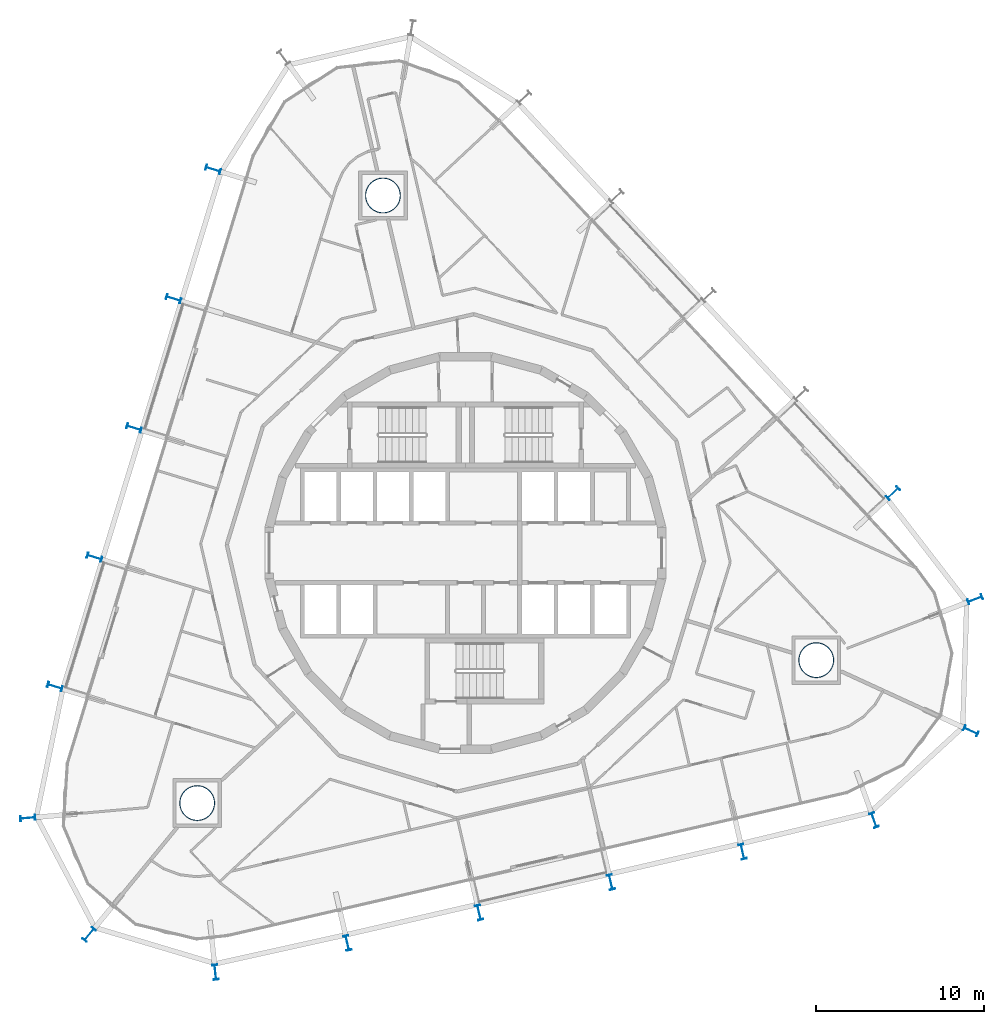
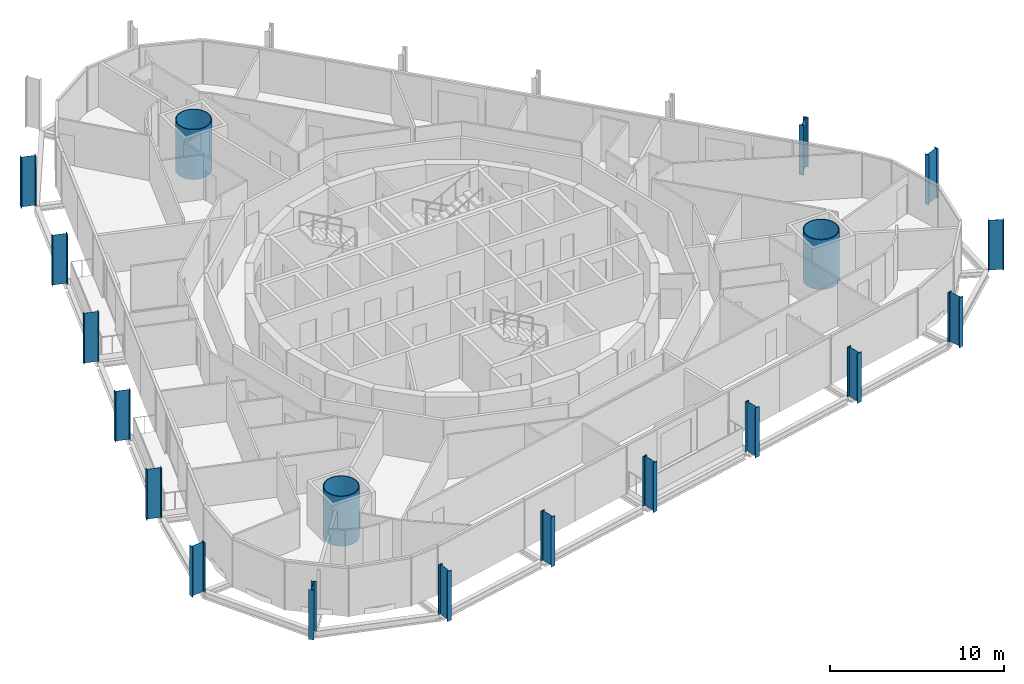
# One storey, part 1 of 18: 19 columns.
"""IFC4 building model written with IfcOpenShell, lengths in metres."""

from ifc_helpers import new_model, si_unit, direction, frame, origin, origin_2d, place, context, subcontext, project, spatial, hollow_circle, i_section, extrude, material, material_profile, profile_set, type_object, element, save


model = new_model("IFC4")

# Units and contexts
model_context = context("Model", 3, precision=1e-05, world=origin(), true_north=direction((0.0, 1.0)))
body_context = subcontext(model_context, "Body", "Model", "MODEL_VIEW")
ifc_project = project(units=[si_unit("LENGTHUNIT", "METRE"), si_unit("AREAUNIT", "SQUARE_METRE"), si_unit("VOLUMEUNIT", "CUBIC_METRE"), si_unit("PLANEANGLEUNIT", "RADIAN"), si_unit("MASSUNIT", "GRAM", prefix="KILO")], contexts=[model_context])

# Site, building, storey
site_placement = place(None, origin())
site = spatial("IfcSite", under=ifc_project, at=site_placement, CompositionType="ELEMENT")
building_placement = place(site_placement, origin())
building = spatial("IfcBuilding", under=site, at=building_placement, Name="Spindle Arch Residences", CompositionType="ELEMENT")
storey_placement = place(building_placement, frame((0.0, 0.0, 123.89990234375)))
storey = spatial("IfcBuildingStorey", under=building, at=storey_placement, Name="L30", CompositionType="ELEMENT", Elevation=123.89990234375)

# Columns
ifc_material_1 = material(Name="Steel S460ML, intumescent coating R 240", Category="steel")
ifc_material_profile_1 = material_profile(ifc_material_1, i_section(OverallWidth=0.300048828125, OverallDepth=0.89990234375, WebThickness=0.0185546875, FlangeThickness=0.034912109375, FilletRadius=0.030029296875, at=origin_2d()), Name="HEB 900")
ifc_profile_set_1 = profile_set([ifc_material_profile_1], Name="Steel S460ML, intumescent coating R 240")
column_type_1 = type_object("IfcColumnType", Name="Exoskeleton post HEB 900", PredefinedType="COLUMN", material=ifc_profile_set_1)
for number, where, z_axis, x_axis, name in (
    (1, (8.633544921875, -19.5498046875, -0.3798828125), (0.0, 0.0, 1.0), (-0.974370073419, -0.224951016948, 0.0), "Exoskeleton post 1"),
    (2, (16.45703125, -17.74365234375, -0.3798828125), (0.0, 0.0, 1.0), (-0.974370073419, -0.224951016948, 0.0), "Exoskeleton post 2"),
    (3, (24.26123046875, -15.86767578125, -0.3798828125), (0.0, 0.0, 1.0), (-0.940523325903, -0.339729117728, 0.0), "Exoskeleton post 3"),
    (4, (30.013916015625, -10.5712890625, -0.3798828125), (0.0, 0.0, 1.0), (-0.416143895931, -0.909298772615, 0.0), "Exoskeleton post 4"),
    (5, (30.261962890625, -2.756103515625, -0.3798828125), (0.0, 0.0, 1.0), (0.357664986637, -0.933849965109, 0.0), "Exoskeleton post 5"),
    (6, (25.390869140625, 3.550048828125, -0.3798828125), (0.0, 0.0, 1.0), (0.68199801865, -0.731354019992, 0.0), "Exoskeleton post 6"),
    (7, (-14.9873046875, 22.7734375, -0.3798828125), (0.0, 0.0, 1.0), (0.29237190653, 0.956304694264, 0.0), "Exoskeleton post 13"),
    (8, (-17.3349609375, 15.09521484375, -0.3798828125), (0.0, 0.0, 1.0), (0.29237190653, 0.956304694264, 0.0), "Exoskeleton post 14"),
    (9, (-19.682373046875, 7.4169921875, -0.3798828125), (0.0, 0.0, 1.0), (0.29237190653, 0.956304694264, 0.0), "Exoskeleton post 15"),
    (10, (-22.02978515625, -0.261474609375, -0.3798828125), (0.0, 0.0, 1.0), (0.29237190653, 0.956304694264, 0.0), "Exoskeleton post 16"),
    (11, (-24.37744140625, -7.939697265625, -0.3798828125), (0.0, 0.0, 1.0), (0.29237190653, 0.956304694264, 0.0), "Exoskeleton post 17"),
    (12, (-25.9912109375, -15.742919921875, -0.3798828125), (0.0, 0.0, 1.0), (-0.087904987966, 0.996128863697, 0.0), "Exoskeleton post 18"),
    (13, (-22.34228515625, -22.65869140625, -0.3798828125), (0.0, 0.0, 1.0), (-0.772637925649, 0.634846938915, 0.0), "Exoskeleton post 19"),
    (14, (-14.85009765625, -24.897216796875, -0.3798828125), (0.0, 0.0, 1.0), (-0.994264182944, -0.106952019682, 0.0), "Exoskeleton post 20"),
    (15, (-7.01318359375, -23.162109375, -0.3798828125), (0.0, 0.0, 1.0), (-0.974370073419, -0.224951016948, 0.0), "Exoskeleton post 21"),
    (16, (0.810302734375, -21.35595703125, -0.3798828125), (0.0, 0.0, 1.0), (-0.974370073419, -0.224951016948, 0.0), "Exoskeleton post 22"),
):
    element("IfcColumn", number, at=place(storey_placement, frame(where, z_axis=z_axis, x_axis=x_axis)), inside=storey, type_object=column_type_1, Name=name, PredefinedType="COLUMN", context=body_context, shape_type="SweptSolid", body=[
        extrude(i_section(OverallWidth=0.300048828125, OverallDepth=0.89990234375, WebThickness=0.0185546875, FlangeThickness=0.034912109375, FilletRadius=0.030029296875, at=origin_2d()), origin(), (0.0, 0.0, 1.0), 3.5),
    ])
ifc_material_2 = material(Name="Concrete C50/60 filled steel tube S460ML, intumescent coating R 240", Category="concrete")
ifc_material_profile_2 = material_profile(ifc_material_2, hollow_circle(Radius=1.050048828125, WallThickness=0.050048828125, at=origin_2d()), Name="CFT D2100x50")
ifc_profile_set_2 = profile_set([ifc_material_profile_2], Name="Concrete C50/60 filled steel tube S460ML, intumescent coating R 240")
column_type_2 = type_object("IfcColumnType", Name="Mega-column CFT D2100x50", PredefinedType="COLUMN", material=ifc_profile_set_2)
for number, where, z_axis, x_axis, name in (
    (17, (20.830078125, -6.368408203125, -0.3798828125), (0.0, 0.0, 1.0), (1.0, 0.0, 0.0), "Mega-column 1"),
    (18, (-4.89990234375, 21.223388671875, -0.3798828125), (0.0, 0.0, 1.0), (1.0, 0.0, 0.0), "Mega-column 2"),
    (19, (-15.93017578125, -14.855224609375, -0.3798828125), (0.0, 0.0, 1.0), (1.0, 0.0, 0.0), "Mega-column 3"),
):
    element("IfcColumn", number, at=place(storey_placement, frame(where, z_axis=z_axis, x_axis=x_axis)), inside=storey, type_object=column_type_2, Name=name, PredefinedType="COLUMN", context=body_context, shape_type="SweptSolid", body=[
        extrude(hollow_circle(Radius=1.050048828125, WallThickness=0.050048828125, at=origin_2d()), origin(), (0.0, 0.0, 1.0), 3.5),
    ])

save(model, "model.ifc")
